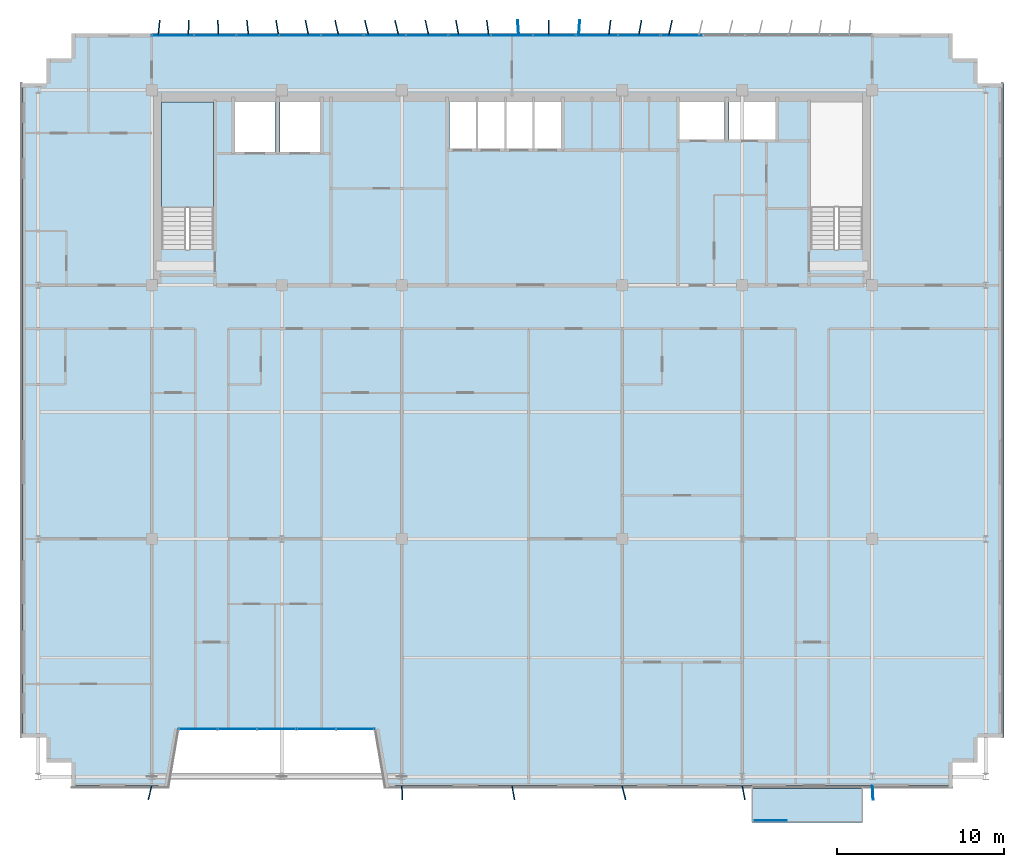
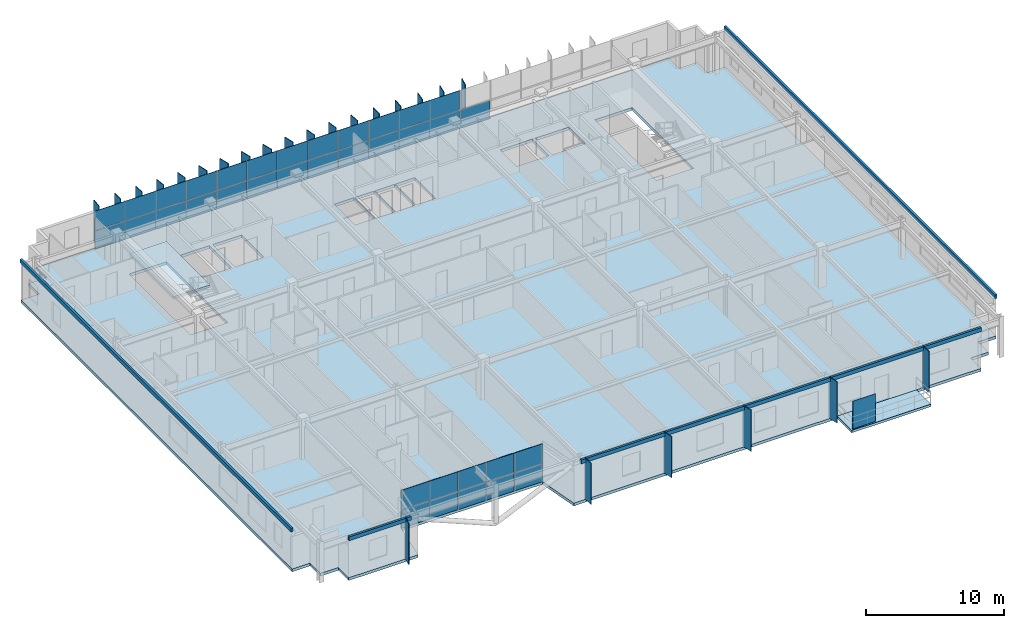
# One storey, part 16 of 24: 64 plates, 3 slabs, 3 elements without a shape of their own.
"""IFC4 building model written with IfcOpenShell, lengths in metres."""

from ifc_helpers import new_model, si_unit, direction, frame, origin, origin_2d, place, context, subcontext, project, spatial, polyline, rectangle, outline, extrude, source, transform, mapped, material, layer, layer_set, type_object, element, aggregate, save


model = new_model("IFC4")

# Units and contexts
model_context = context("Model", 3, precision=1e-05, world=origin(), true_north=direction((0.0, 1.0)))
body_context = subcontext(model_context, "Body", "Model", "MODEL_VIEW")
ifc_project = project(units=[si_unit("LENGTHUNIT", "METRE"), si_unit("AREAUNIT", "SQUARE_METRE"), si_unit("VOLUMEUNIT", "CUBIC_METRE"), si_unit("PLANEANGLEUNIT", "RADIAN"), si_unit("MASSUNIT", "GRAM", prefix="KILO")], contexts=[model_context])

# Site, building, storey
site_placement = place(None, origin())
site = spatial("IfcSite", under=ifc_project, at=site_placement, CompositionType="ELEMENT")
building_placement = place(site_placement, origin())
building = spatial("IfcBuilding", under=site, at=building_placement, Name="Trelvane Seafront Commons", CompositionType="ELEMENT")
storey_placement = place(building_placement, frame((0.0, 0.0, 175.300048828125)))
storey = spatial("IfcBuildingStorey", under=building, at=storey_placement, Name="L46", CompositionType="ELEMENT", Elevation=175.300048828125)

# Slab
ifc_material_1 = material(Name="Concrete C40/50", Category="concrete")
ifc_layer_1 = layer(ifc_material_1, 0.219970703125, Name="ARCH-BALC-220")
ifc_layer_set_1 = layer_set([ifc_layer_1], Name="Concrete C40/50")
slab_type_1 = type_object("IfcSlabType", Name="ARCH-BALC-220", PredefinedType="FLOOR", material=ifc_layer_set_1)
slab_1_placement = place(storey_placement, frame((0.0, 0.0, -0.219970703125)))
element("IfcSlab", 1, at=slab_1_placement, inside=storey, type_object=slab_type_1, Name="L46 Cantilevered Tree Balcony Loggia 2", PredefinedType="FLOOR", context=body_context, shape_type="SweptSolid", body=[
    extrude(outline(polyline([(51.60009765625, 1.199951171875), (58.199951171875, 1.199951171875), (58.199951171875, 3.300048828125), (51.60009765625, 3.300048828125), (51.60009765625, 1.199951171875)])), origin(), (0.0, 0.0, 1.0), 0.219970703125),
])

# Stair, slab
stair_type = type_object("IfcStairType", Name="ARCH-STR-ST-1-R20-180", PredefinedType="HALF_TURN_STAIR", material=ifc_material_1)
stair_placement = place(storey_placement, origin())
stair = element("IfcStair", 2, at=stair_placement, inside=storey, type_object=stair_type, Name="L46 West Protected Firefighting Exit Stair ST-1", PredefinedType="HALF_TURN_STAIR")
ifc_layer_2 = layer(ifc_material_1, 0.199951171875, Name="ARCH-LND-200")
ifc_layer_set_2 = layer_set([ifc_layer_2], Name="Concrete C40/50")
slab_type_2 = type_object("IfcSlabType", Name="ARCH-LND-200", PredefinedType="LANDING", material=ifc_layer_set_2)
slab_2_placement = place(storey_placement, frame((0.0, 0.0, 1.599853515625)))
slab_2 = element("IfcSlab", 3, at=slab_2_placement, type_object=slab_type_2, Name="ST-1 landing 1", PredefinedType="LANDING", context=body_context, shape_type="SweptSolid", body=[
    extrude(outline(polyline([(19.300048828125, 38.070068359375), (19.300048828125, 44.39990234375), (16.199951171875, 44.39990234375), (16.199951171875, 38.070068359375), (19.300048828125, 38.070068359375)])), origin(), (0.0, 0.0, 1.0), 0.2001953125),
])
aggregate(stair, [slab_2])

# Slab
ifc_material_2 = material(Name="Concrete C50/60", Category="concrete")
ifc_layer_3 = layer(ifc_material_2, 0.25, Name="STR-SLB-Z3-250")
ifc_layer_set_3 = layer_set([ifc_layer_3], Name="Concrete C50/60")
slab_type_3 = type_object("IfcSlabType", Name="STR-SLB-Z3-250", PredefinedType="FLOOR", material=ifc_layer_set_3)
slab_3_placement = place(storey_placement, frame((0.0, 0.0, -0.25)))
element("IfcSlab", 4, at=slab_3_placement, inside=storey, type_object=slab_type_3, Name="L46 Structural Floor Slab", PredefinedType="FLOOR", context=body_context, shape_type="SweptSolid", body=[
    extrude(outline(polyline([(10.800048828125, 3.300048828125), (16.60009765625, 3.300048828125), (17.199951171875, 6.800048828125), (29.0, 6.800048828125), (29.60009765625, 3.300048828125), (63.60009765625, 3.300048828125), (63.60009765625, 4.800048828125), (65.10009765625, 4.800048828125), (65.10009765625, 6.300048828125), (66.60009765625, 6.300048828125), (66.60009765625, 45.5), (65.10009765625, 45.5), (65.10009765625, 47.0), (63.60009765625, 47.0), (63.60009765625, 48.5), (10.800048828125, 48.5), (10.800048828125, 47.0), (9.300048828125, 47.0), (9.300048828125, 45.5), (7.800048828125, 45.5), (7.800048828125, 6.300048828125), (9.300048828125, 6.300048828125), (9.300048828125, 4.800048828125), (10.800048828125, 4.800048828125), (10.800048828125, 3.300048828125)]), holes=[polyline([(19.300048828125, 35.550048828125), (16.199951171875, 35.550048828125), (16.199951171875, 44.39990234375), (19.300048828125, 44.39990234375), (19.300048828125, 35.550048828125)]), polyline([(58.199951171875, 35.550048828125), (55.10009765625, 35.550048828125), (55.10009765625, 44.39990234375), (58.199951171875, 44.39990234375), (58.199951171875, 35.550048828125)]), polyline([(23.0, 41.39990234375), (20.60009765625, 41.39990234375), (20.60009765625, 44.60009765625), (23.0, 44.60009765625), (23.0, 41.39990234375)]), polyline([(23.300048828125, 41.39990234375), (23.300048828125, 44.60009765625), (25.699951171875, 44.60009765625), (25.699951171875, 41.39990234375), (23.300048828125, 41.39990234375)]), polyline([(33.449951171875, 41.60009765625), (33.449951171875, 44.60009765625), (35.070068359375, 44.60009765625), (35.070068359375, 41.60009765625), (33.449951171875, 41.60009765625)]), polyline([(36.77001953125, 41.60009765625), (35.14990234375, 41.60009765625), (35.14990234375, 44.60009765625), (36.77001953125, 44.60009765625), (36.77001953125, 41.60009765625)]), polyline([(38.469970703125, 41.60009765625), (36.85009765625, 41.60009765625), (36.85009765625, 44.60009765625), (38.469970703125, 44.60009765625), (38.469970703125, 41.60009765625)]), polyline([(40.169921875, 41.60009765625), (38.550048828125, 41.60009765625), (38.550048828125, 44.60009765625), (40.169921875, 44.60009765625), (40.169921875, 41.60009765625)]), polyline([(47.25, 42.14990234375), (47.25, 44.550048828125), (49.949951171875, 44.550048828125), (49.949951171875, 42.14990234375), (47.25, 42.14990234375)]), polyline([(50.199951171875, 42.14990234375), (50.199951171875, 44.550048828125), (53.0, 44.550048828125), (53.0, 42.14990234375), (50.199951171875, 42.14990234375)])]), origin(), (0.0, 0.0, 1.0), 0.25),
])

# Plates
ifc_material_3 = material(Name="Perforated anodised aluminium screen", Category="aluminium")
ifc_layer_4 = layer(ifc_material_3, 0.01611328125, Name="ARCH-PLATE-SCREEN")
ifc_layer_set_4 = layer_set([ifc_layer_4], Name="Perforated anodised aluminium screen")
plate_type_1 = type_object("IfcPlateType", Name="ARCH-PLATE-SCREEN", PredefinedType="USERDEFINED", material=ifc_layer_set_4)
shared_shape_1 = source(origin(), body_context, "Body", "SweptSolid", [
    extrude(rectangle(XDim=1.9140625, YDim=0.01611328125, at=origin_2d()), origin(), (0.0, 0.0, 1.0), 2.449951171875),
])
plate_1_placement = place(storey_placement, frame((52.70703125, 1.320068359375, 0.0), z_axis=(0.0, 0.0, 1.0), x_axis=(1.0, 0.0, 0.0)))
element("IfcPlate", 5, at=plate_1_placement, inside=storey, type_object=plate_type_1, Name="SCR-L46-00166", ObjectType="SCREEN", PredefinedType="USERDEFINED", context=body_context, shape_type="MappedRepresentation", body=[
    mapped(shared_shape_1, transform((0.0, 0.0, 0.0), x_axis=(1.0, 0.0, 0.0), y_axis=(0.0, 1.0, 0.0), z_axis=(0.0, 0.0, 1.0), scale=1.0)),
])
ifc_material_4 = material(Name="Anodised pale-silver aluminium", Category="aluminium")
ifc_layer_5 = layer(ifc_material_4, 0.06005859375, Name="ARCH-PLATE-FIN900")
ifc_layer_set_5 = layer_set([ifc_layer_5], Name="Anodised pale-silver aluminium")
plate_type_2 = type_object("IfcPlateType", Name="ARCH-PLATE-FIN900", PredefinedType="USERDEFINED", material=ifc_layer_set_5)
shared_shape_2 = source(origin(), body_context, "Body", "SweptSolid", [
    extrude(rectangle(XDim=0.89990234375, YDim=0.06005859375, at=origin_2d()), origin(), (0.0, 0.0, 1.0), 3.639892578125),
])
for number, where, z_axis, x_axis, name in (
    (6, (16.043212890625, 48.847900390625, -0.02001953125), (0.0, 0.0, 1.0), (0.096115029596, 0.995370233172, 0.0), "FIN-L46-01277"),
    (7, (17.814453125, 48.849853515625, -0.02001953125), (0.0, 0.0, 1.0), (0.03211202744, 0.999484275861, 0.0), "FIN-L46-01278"),
    (8, (19.58447265625, 48.849853515625, -0.02001953125), (0.0, 0.0, 1.0), (-0.034442495366, 0.999406681243, 0.0), "FIN-L46-01279"),
    (9, (21.355712890625, 48.847900390625, -0.02001953125), (0.0, 0.0, 1.0), (-0.098336729472, 0.995153198074, 0.0), "FIN-L46-01280"),
    (10, (23.13037109375, 48.844482421875, -0.02001953125), (0.0, 0.0, 1.0), (-0.154553471661, 0.98798442518, 0.0), "FIN-L46-01281"),
    (11, (24.910400390625, 48.841064453125, -0.02001953125), (0.0, 0.0, 1.0), (-0.19900020777, 0.979999447606, 0.0), "FIN-L46-01282"),
    (12, (26.697265625, 48.838134765625, -0.02001953125), (0.0, 0.0, 1.0), (-0.22854967359, 0.973532252523, 0.0), "FIN-L46-01283"),
    (13, (28.491455078125, 48.836669921875, -0.02001953125), (0.0, 0.0, 1.0), (-0.241437528624, 0.97041636413, 0.0), "FIN-L46-01284"),
    (14, (30.29345703125, 48.837158203125, -0.02001953125), (0.0, 0.0, 1.0), (-0.236675358124, 0.971588788972, 0.0), "FIN-L46-01285"),
    (15, (32.103515625, 48.839599609375, -0.02001953125), (0.0, 0.0, 1.0), (-0.214670551336, 0.976686517972, 0.0), "FIN-L46-01286"),
    (16, (33.92041015625, 48.843017578125, -0.02001953125), (0.0, 0.0, 1.0), (-0.176782408782, 0.984249958062, 0.0), "FIN-L46-01287"),
    (17, (35.743408203125, 48.846435546875, -0.02001953125), (0.0, 0.0, 1.0), (-0.125553139468, 0.992086895977, 0.0), "FIN-L46-01288"),
    (18, (37.57080078125, 48.84912109375, -0.02001953125), (0.0, 0.0, 1.0), (-0.064668159577, 0.997906823875, 0.0), "FIN-L46-01289"),
    (19, (39.400390625, 48.85009765625, -0.02001953125), (0.0, 0.0, 1.0), (0.001221730172, 0.999999253687, 0.0), "FIN-L46-01290"),
    (20, (41.230224609375, 48.84912109375, -0.02001953125), (0.0, 0.0, 1.0), (0.066998343577, 0.997753086669, 0.0), "FIN-L46-01291"),
    (21, (43.0576171875, 48.84619140625, -0.02001953125), (0.0, 0.0, 1.0), (0.127672229738, 0.991816415348, 0.0), "FIN-L46-01292"),
    (22, (44.88037109375, 48.8427734375, -0.02001953125), (0.0, 0.0, 1.0), (0.178436438459, 0.983951440585, 0.0), "FIN-L46-01293"),
    (23, (46.697021484375, 48.83935546875, -0.02001953125), (0.0, 0.0, 1.0), (0.215776724451, 0.97644273011, 0.0), "FIN-L46-01294"),
):
    element("IfcPlate", number, at=place(storey_placement, frame(where, z_axis=z_axis, x_axis=x_axis)), inside=storey, type_object=plate_type_2, Name=name, ObjectType="FIN", PredefinedType="USERDEFINED", context=body_context, shape_type="MappedRepresentation", body=[
        mapped(shared_shape_2, transform((0.0, 0.0, 0.0), x_axis=(1.0, 0.0, 0.0), y_axis=(0.0, 1.0, 0.0), z_axis=(0.0, 0.0, 1.0), scale=1.0)),
    ])
shared_shape_3 = source(origin(), body_context, "Body", "SweptSolid", [
    extrude(rectangle(XDim=0.85009765625, YDim=0.06005859375, at=origin_2d()), origin(), (0.0, 0.0, 1.0), 3.639892578125),
])
for number, where, z_axis, x_axis, name in (
    (24, (15.50146484375, 2.986572265625, -0.02001953125), (0.0, 0.0, 1.0), (-0.231640939799, -0.972801354342, 0.0), "FIN-S-L46-01301"),
    (25, (30.61279296875, 2.97509765625, -0.02001953125), (0.0, 0.0, 1.0), (0.030353594076, -0.999539223506, 0.0), "FIN-S-L46-01302"),
    (26, (37.27587890625, 2.981689453125, -0.02001953125), (0.0, 0.0, 1.0), (0.178460480875, -0.983947080267, 0.0), "FIN-S-L46-01303"),
    (27, (43.902587890625, 2.987548828125, -0.02001953125), (0.0, 0.0, 1.0), (0.241649234884, -0.970363667539, 0.0), "FIN-S-L46-01304"),
    (28, (51.081787109375, 2.98291015625, -0.02001953125), (0.0, 0.0, 1.0), (0.192811400863, -0.981235834903, 0.0), "FIN-S-L46-01305"),
    (29, (58.822509765625, 2.9755859375, -0.02001953125), (0.0, 0.0, 1.0), (0.052590423393, -0.998616166186, 0.0), "FIN-S-L46-01306"),
):
    element("IfcPlate", number, at=place(storey_placement, frame(where, z_axis=z_axis, x_axis=x_axis)), inside=storey, type_object=plate_type_2, Name=name, ObjectType="FIN", PredefinedType="USERDEFINED", context=body_context, shape_type="MappedRepresentation", body=[
        mapped(shared_shape_3, transform((0.0, 0.0, 0.0), x_axis=(1.0, 0.0, 0.0), y_axis=(0.0, 1.0, 0.0), z_axis=(0.0, 0.0, 1.0), scale=1.0)),
    ])

# Curtain wall, plates
curtain_wall_type_1 = type_object("IfcCurtainWallType", Name="ARCH-CW5-UPTOWER", PredefinedType="NOTDEFINED", material=ifc_material_4)
curtain_wall_1_placement = place(storey_placement, origin())
curtain_wall_1 = element("IfcCurtainWall", 30, at=curtain_wall_1_placement, inside=storey, type_object=curtain_wall_type_1, Name="CW-L46-0073", PredefinedType="NOTDEFINED")
ifc_material_5 = material(Name="Low-E coastal double glazing", Category="glass")
ifc_layer_6 = layer(ifc_material_5, 0.033935546875, Name="ARCH-CW-GLAZ-34")
ifc_layer_set_6 = layer_set([ifc_layer_6], Name="Low-E coastal double glazing")
plate_type_3 = type_object("IfcPlateType", Name="ARCH-CW-GLAZ-34", PredefinedType="CURTAIN_PANEL", material=ifc_layer_set_6)
shared_shape_4 = source(origin(), body_context, "Body", "SweptSolid", [
    extrude(rectangle(XDim=2.51708984375, YDim=0.033935546875, at=origin_2d()), origin(), (0.0, 0.0, 1.0), 1.590087890625),
])
plate_2_placement = place(storey_placement, frame((16.87060546875, 48.3701171875, 0.0), z_axis=(0.0, 0.0, 1.0), x_axis=(1.0, 0.0, 0.0)))
plate_2 = element("IfcPlate", 31, at=plate_2_placement, type_object=plate_type_3, Name="CW-L46-0073-P00-1", PredefinedType="CURTAIN_PANEL", context=body_context, shape_type="MappedRepresentation", body=[
    mapped(shared_shape_4, transform((0.0, 0.0, 0.0), x_axis=(1.0, 0.0, 0.0), y_axis=(0.0, 1.0, 0.0), z_axis=(0.0, 0.0, 1.0), scale=1.0)),
])
plate_3_placement = place(storey_placement, frame((19.411865234375, 48.3701171875, 0.0), z_axis=(0.0, 0.0, 1.0), x_axis=(1.0, 0.0, 0.0)))
plate_3 = element("IfcPlate", 32, at=plate_3_placement, type_object=plate_type_3, Name="CW-L46-0073-P01-1", PredefinedType="CURTAIN_PANEL", context=body_context, shape_type="MappedRepresentation", body=[
    mapped(shared_shape_4, transform((0.0, 0.0, 0.0), x_axis=(1.0, 0.0, 0.0), y_axis=(0.0, 1.0, 0.0), z_axis=(0.0, 0.0, 1.0), scale=1.0)),
])
plate_4_placement = place(storey_placement, frame((21.952880859375, 48.3701171875, 0.0), z_axis=(0.0, 0.0, 1.0), x_axis=(1.0, 0.0, 0.0)))
plate_4 = element("IfcPlate", 33, at=plate_4_placement, type_object=plate_type_3, Name="CW-L46-0073-P02-1", PredefinedType="CURTAIN_PANEL", context=body_context, shape_type="MappedRepresentation", body=[
    mapped(shared_shape_4, transform((0.0, 0.0, 0.0), x_axis=(1.0, 0.0, 0.0), y_axis=(0.0, 1.0, 0.0), z_axis=(0.0, 0.0, 1.0), scale=1.0)),
])
plate_5_placement = place(storey_placement, frame((24.494140625, 48.3701171875, 0.0), z_axis=(0.0, 0.0, 1.0), x_axis=(1.0, 0.0, 0.0)))
plate_5 = element("IfcPlate", 34, at=plate_5_placement, type_object=plate_type_3, Name="CW-L46-0073-P03-1", PredefinedType="CURTAIN_PANEL", context=body_context, shape_type="MappedRepresentation", body=[
    mapped(shared_shape_4, transform((0.0, 0.0, 0.0), x_axis=(1.0, 0.0, 0.0), y_axis=(0.0, 1.0, 0.0), z_axis=(0.0, 0.0, 1.0), scale=1.0)),
])
plate_6_placement = place(storey_placement, frame((27.035400390625, 48.3701171875, 0.0), z_axis=(0.0, 0.0, 1.0), x_axis=(1.0, 0.0, 0.0)))
plate_6 = element("IfcPlate", 35, at=plate_6_placement, type_object=plate_type_3, Name="CW-L46-0073-P04-1", PredefinedType="CURTAIN_PANEL", context=body_context, shape_type="MappedRepresentation", body=[
    mapped(shared_shape_4, transform((0.0, 0.0, 0.0), x_axis=(1.0, 0.0, 0.0), y_axis=(0.0, 1.0, 0.0), z_axis=(0.0, 0.0, 1.0), scale=1.0)),
])
plate_7_placement = place(storey_placement, frame((29.576416015625, 48.3701171875, 0.0), z_axis=(0.0, 0.0, 1.0), x_axis=(1.0, 0.0, 0.0)))
plate_7 = element("IfcPlate", 36, at=plate_7_placement, type_object=plate_type_3, Name="CW-L46-0073-P05-1", PredefinedType="CURTAIN_PANEL", context=body_context, shape_type="MappedRepresentation", body=[
    mapped(shared_shape_4, transform((0.0, 0.0, 0.0), x_axis=(1.0, 0.0, 0.0), y_axis=(0.0, 1.0, 0.0), z_axis=(0.0, 0.0, 1.0), scale=1.0)),
])
plate_8_placement = place(storey_placement, frame((32.11767578125, 48.3701171875, 0.0), z_axis=(0.0, 0.0, 1.0), x_axis=(1.0, 0.0, 0.0)))
plate_8 = element("IfcPlate", 37, at=plate_8_placement, type_object=plate_type_3, Name="CW-L46-0073-P06-1", PredefinedType="CURTAIN_PANEL", context=body_context, shape_type="MappedRepresentation", body=[
    mapped(shared_shape_4, transform((0.0, 0.0, 0.0), x_axis=(1.0, 0.0, 0.0), y_axis=(0.0, 1.0, 0.0), z_axis=(0.0, 0.0, 1.0), scale=1.0)),
])
plate_9_placement = place(storey_placement, frame((34.65869140625, 48.3701171875, 0.0), z_axis=(0.0, 0.0, 1.0), x_axis=(1.0, 0.0, 0.0)))
plate_9 = element("IfcPlate", 38, at=plate_9_placement, type_object=plate_type_3, Name="CW-L46-0073-P07-1", PredefinedType="CURTAIN_PANEL", context=body_context, shape_type="MappedRepresentation", body=[
    mapped(shared_shape_4, transform((0.0, 0.0, 0.0), x_axis=(1.0, 0.0, 0.0), y_axis=(0.0, 1.0, 0.0), z_axis=(0.0, 0.0, 1.0), scale=1.0)),
])
plate_10_placement = place(storey_placement, frame((37.199951171875, 48.3701171875, 0.0), z_axis=(0.0, 0.0, 1.0), x_axis=(1.0, 0.0, 0.0)))
plate_10 = element("IfcPlate", 39, at=plate_10_placement, type_object=plate_type_3, Name="CW-L46-0073-P08-1", PredefinedType="CURTAIN_PANEL", context=body_context, shape_type="MappedRepresentation", body=[
    mapped(shared_shape_4, transform((0.0, 0.0, 0.0), x_axis=(1.0, 0.0, 0.0), y_axis=(0.0, 1.0, 0.0), z_axis=(0.0, 0.0, 1.0), scale=1.0)),
])
plate_11_placement = place(storey_placement, frame((39.7412109375, 48.3701171875, 0.0), z_axis=(0.0, 0.0, 1.0), x_axis=(1.0, 0.0, 0.0)))
plate_11 = element("IfcPlate", 40, at=plate_11_placement, type_object=plate_type_3, Name="CW-L46-0073-P09-1", PredefinedType="CURTAIN_PANEL", context=body_context, shape_type="MappedRepresentation", body=[
    mapped(shared_shape_4, transform((0.0, 0.0, 0.0), x_axis=(1.0, 0.0, 0.0), y_axis=(0.0, 1.0, 0.0), z_axis=(0.0, 0.0, 1.0), scale=1.0)),
])
plate_12_placement = place(storey_placement, frame((42.282470703125, 48.3701171875, 0.0), z_axis=(0.0, 0.0, 1.0), x_axis=(1.0, 0.0, 0.0)))
plate_12 = element("IfcPlate", 41, at=plate_12_placement, type_object=plate_type_3, Name="CW-L46-0073-P10-1", PredefinedType="CURTAIN_PANEL", context=body_context, shape_type="MappedRepresentation", body=[
    mapped(shared_shape_4, transform((0.0, 0.0, 0.0), x_axis=(1.0, 0.0, 0.0), y_axis=(0.0, 1.0, 0.0), z_axis=(0.0, 0.0, 1.0), scale=1.0)),
])
plate_13_placement = place(storey_placement, frame((44.823486328125, 48.3701171875, 0.0), z_axis=(0.0, 0.0, 1.0), x_axis=(1.0, 0.0, 0.0)))
plate_13 = element("IfcPlate", 42, at=plate_13_placement, type_object=plate_type_3, Name="CW-L46-0073-P11-1", PredefinedType="CURTAIN_PANEL", context=body_context, shape_type="MappedRepresentation", body=[
    mapped(shared_shape_4, transform((0.0, 0.0, 0.0), x_axis=(1.0, 0.0, 0.0), y_axis=(0.0, 1.0, 0.0), z_axis=(0.0, 0.0, 1.0), scale=1.0)),
])
plate_14_placement = place(storey_placement, frame((47.36474609375, 48.3701171875, 0.0), z_axis=(0.0, 0.0, 1.0), x_axis=(1.0, 0.0, 0.0)))
plate_14 = element("IfcPlate", 43, at=plate_14_placement, type_object=plate_type_3, Name="CW-L46-0073-P12-1", PredefinedType="CURTAIN_PANEL", context=body_context, shape_type="MappedRepresentation", body=[
    mapped(shared_shape_4, transform((0.0, 0.0, 0.0), x_axis=(1.0, 0.0, 0.0), y_axis=(0.0, 1.0, 0.0), z_axis=(0.0, 0.0, 1.0), scale=1.0)),
])
shared_shape_5 = source(origin(), body_context, "Body", "SweptSolid", [
    extrude(rectangle(XDim=2.51708984375, YDim=0.033935546875, at=origin_2d()), origin(), (0.0, 0.0, 1.0), 1.72412109375),
])
plate_15_placement = place(storey_placement, frame((16.87060546875, 48.3701171875, 1.6259765625), z_axis=(0.0, 0.0, 1.0), x_axis=(1.0, 0.0, 0.0)))
plate_15 = element("IfcPlate", 44, at=plate_15_placement, type_object=plate_type_3, Name="CW-L46-0073-P00-2", PredefinedType="CURTAIN_PANEL", context=body_context, shape_type="MappedRepresentation", body=[
    mapped(shared_shape_5, transform((0.0, 0.0, 0.0), x_axis=(1.0, 0.0, 0.0), y_axis=(0.0, 1.0, 0.0), z_axis=(0.0, 0.0, 1.0), scale=1.0)),
])
plate_16_placement = place(storey_placement, frame((19.411865234375, 48.3701171875, 1.6259765625), z_axis=(0.0, 0.0, 1.0), x_axis=(1.0, 0.0, 0.0)))
plate_16 = element("IfcPlate", 45, at=plate_16_placement, type_object=plate_type_3, Name="CW-L46-0073-P01-2", PredefinedType="CURTAIN_PANEL", context=body_context, shape_type="MappedRepresentation", body=[
    mapped(shared_shape_5, transform((0.0, 0.0, 0.0), x_axis=(1.0, 0.0, 0.0), y_axis=(0.0, 1.0, 0.0), z_axis=(0.0, 0.0, 1.0), scale=1.0)),
])
plate_17_placement = place(storey_placement, frame((21.952880859375, 48.3701171875, 1.6259765625), z_axis=(0.0, 0.0, 1.0), x_axis=(1.0, 0.0, 0.0)))
plate_17 = element("IfcPlate", 46, at=plate_17_placement, type_object=plate_type_3, Name="CW-L46-0073-P02-2", PredefinedType="CURTAIN_PANEL", context=body_context, shape_type="MappedRepresentation", body=[
    mapped(shared_shape_5, transform((0.0, 0.0, 0.0), x_axis=(1.0, 0.0, 0.0), y_axis=(0.0, 1.0, 0.0), z_axis=(0.0, 0.0, 1.0), scale=1.0)),
])
plate_18_placement = place(storey_placement, frame((24.494140625, 48.3701171875, 1.6259765625), z_axis=(0.0, 0.0, 1.0), x_axis=(1.0, 0.0, 0.0)))
plate_18 = element("IfcPlate", 47, at=plate_18_placement, type_object=plate_type_3, Name="CW-L46-0073-P03-2", PredefinedType="CURTAIN_PANEL", context=body_context, shape_type="MappedRepresentation", body=[
    mapped(shared_shape_5, transform((0.0, 0.0, 0.0), x_axis=(1.0, 0.0, 0.0), y_axis=(0.0, 1.0, 0.0), z_axis=(0.0, 0.0, 1.0), scale=1.0)),
])
plate_19_placement = place(storey_placement, frame((27.035400390625, 48.3701171875, 1.6259765625), z_axis=(0.0, 0.0, 1.0), x_axis=(1.0, 0.0, 0.0)))
plate_19 = element("IfcPlate", 48, at=plate_19_placement, type_object=plate_type_3, Name="CW-L46-0073-P04-2", PredefinedType="CURTAIN_PANEL", context=body_context, shape_type="MappedRepresentation", body=[
    mapped(shared_shape_5, transform((0.0, 0.0, 0.0), x_axis=(1.0, 0.0, 0.0), y_axis=(0.0, 1.0, 0.0), z_axis=(0.0, 0.0, 1.0), scale=1.0)),
])
plate_20_placement = place(storey_placement, frame((29.576416015625, 48.3701171875, 1.6259765625), z_axis=(0.0, 0.0, 1.0), x_axis=(1.0, 0.0, 0.0)))
plate_20 = element("IfcPlate", 49, at=plate_20_placement, type_object=plate_type_3, Name="CW-L46-0073-P05-2", PredefinedType="CURTAIN_PANEL", context=body_context, shape_type="MappedRepresentation", body=[
    mapped(shared_shape_5, transform((0.0, 0.0, 0.0), x_axis=(1.0, 0.0, 0.0), y_axis=(0.0, 1.0, 0.0), z_axis=(0.0, 0.0, 1.0), scale=1.0)),
])
plate_21_placement = place(storey_placement, frame((32.11767578125, 48.3701171875, 1.6259765625), z_axis=(0.0, 0.0, 1.0), x_axis=(1.0, 0.0, 0.0)))
plate_21 = element("IfcPlate", 50, at=plate_21_placement, type_object=plate_type_3, Name="CW-L46-0073-P06-2", PredefinedType="CURTAIN_PANEL", context=body_context, shape_type="MappedRepresentation", body=[
    mapped(shared_shape_5, transform((0.0, 0.0, 0.0), x_axis=(1.0, 0.0, 0.0), y_axis=(0.0, 1.0, 0.0), z_axis=(0.0, 0.0, 1.0), scale=1.0)),
])
plate_22_placement = place(storey_placement, frame((34.65869140625, 48.3701171875, 1.6259765625), z_axis=(0.0, 0.0, 1.0), x_axis=(1.0, 0.0, 0.0)))
plate_22 = element("IfcPlate", 51, at=plate_22_placement, type_object=plate_type_3, Name="CW-L46-0073-P07-2", PredefinedType="CURTAIN_PANEL", context=body_context, shape_type="MappedRepresentation", body=[
    mapped(shared_shape_5, transform((0.0, 0.0, 0.0), x_axis=(1.0, 0.0, 0.0), y_axis=(0.0, 1.0, 0.0), z_axis=(0.0, 0.0, 1.0), scale=1.0)),
])
plate_23_placement = place(storey_placement, frame((37.199951171875, 48.3701171875, 1.6259765625), z_axis=(0.0, 0.0, 1.0), x_axis=(1.0, 0.0, 0.0)))
plate_23 = element("IfcPlate", 52, at=plate_23_placement, type_object=plate_type_3, Name="CW-L46-0073-P08-2", PredefinedType="CURTAIN_PANEL", context=body_context, shape_type="MappedRepresentation", body=[
    mapped(shared_shape_5, transform((0.0, 0.0, 0.0), x_axis=(1.0, 0.0, 0.0), y_axis=(0.0, 1.0, 0.0), z_axis=(0.0, 0.0, 1.0), scale=1.0)),
])
plate_24_placement = place(storey_placement, frame((39.7412109375, 48.3701171875, 1.6259765625), z_axis=(0.0, 0.0, 1.0), x_axis=(1.0, 0.0, 0.0)))
plate_24 = element("IfcPlate", 53, at=plate_24_placement, type_object=plate_type_3, Name="CW-L46-0073-P09-2", PredefinedType="CURTAIN_PANEL", context=body_context, shape_type="MappedRepresentation", body=[
    mapped(shared_shape_5, transform((0.0, 0.0, 0.0), x_axis=(1.0, 0.0, 0.0), y_axis=(0.0, 1.0, 0.0), z_axis=(0.0, 0.0, 1.0), scale=1.0)),
])
plate_25_placement = place(storey_placement, frame((42.282470703125, 48.3701171875, 1.6259765625), z_axis=(0.0, 0.0, 1.0), x_axis=(1.0, 0.0, 0.0)))
plate_25 = element("IfcPlate", 54, at=plate_25_placement, type_object=plate_type_3, Name="CW-L46-0073-P10-2", PredefinedType="CURTAIN_PANEL", context=body_context, shape_type="MappedRepresentation", body=[
    mapped(shared_shape_5, transform((0.0, 0.0, 0.0), x_axis=(1.0, 0.0, 0.0), y_axis=(0.0, 1.0, 0.0), z_axis=(0.0, 0.0, 1.0), scale=1.0)),
])
plate_26_placement = place(storey_placement, frame((44.823486328125, 48.3701171875, 1.6259765625), z_axis=(0.0, 0.0, 1.0), x_axis=(1.0, 0.0, 0.0)))
plate_26 = element("IfcPlate", 55, at=plate_26_placement, type_object=plate_type_3, Name="CW-L46-0073-P11-2", PredefinedType="CURTAIN_PANEL", context=body_context, shape_type="MappedRepresentation", body=[
    mapped(shared_shape_5, transform((0.0, 0.0, 0.0), x_axis=(1.0, 0.0, 0.0), y_axis=(0.0, 1.0, 0.0), z_axis=(0.0, 0.0, 1.0), scale=1.0)),
])
aggregate(curtain_wall_1, [plate_2, plate_15, plate_3, plate_16, plate_4, plate_17, plate_5, plate_18, plate_6, plate_19, plate_7, plate_20, plate_8, plate_21, plate_9, plate_22, plate_10, plate_23, plate_11, plate_24, plate_12, plate_25, plate_13, plate_26, plate_14])

# Plates
ifc_layer_7 = layer(ifc_material_4, 0.179931640625, Name="ARCH-PLATE-AERO")
ifc_layer_set_7 = layer_set([ifc_layer_7], Name="Anodised pale-silver aluminium")
plate_type_4 = type_object("IfcPlateType", Name="ARCH-PLATE-AERO", PredefinedType="SHEET", material=ifc_layer_set_7)
shared_shape_6 = source(origin(), body_context, "Body", "SweptSolid", [
    extrude(rectangle(XDim=39.199951171875, YDim=0.179931640625, at=origin_2d()), origin(), (0.0, 0.0, 1.0), 0.330078125),
])
for number, where, z_axis, x_axis, name in (
    (56, (7.800048828125, 25.89990234375, 3.289794921875), (0.0, 0.0, 1.0), (0.0, 1.0, 0.0), "AER-L46-00164"),
    (57, (66.60009765625, 25.89990234375, 3.289794921875), (0.0, 0.0, 1.0), (0.0, -1.0, 0.0), "AER-L46-00165"),
):
    element("IfcPlate", number, at=place(storey_placement, frame(where, z_axis=z_axis, x_axis=x_axis)), inside=storey, type_object=plate_type_4, Name=name, PredefinedType="SHEET", context=body_context, shape_type="MappedRepresentation", body=[
        mapped(shared_shape_6, transform((0.0, 0.0, 0.0), x_axis=(1.0, 0.0, 0.0), y_axis=(0.0, 1.0, 0.0), z_axis=(0.0, 0.0, 1.0), scale=1.0)),
    ])

# Curtain wall, plates
curtain_wall_type_2 = type_object("IfcCurtainWallType", Name="ARCH-CW3-PORTAL", PredefinedType="NOTDEFINED", material=ifc_material_4)
curtain_wall_2_placement = place(storey_placement, origin())
curtain_wall_2 = element("IfcCurtainWall", 58, at=curtain_wall_2_placement, inside=storey, type_object=curtain_wall_type_2, Name="CW-L46-VN-0074", PredefinedType="NOTDEFINED")
shared_shape_7 = source(origin(), body_context, "Body", "SweptSolid", [
    extrude(rectangle(XDim=2.3359375, YDim=0.0380859375, at=origin_2d()), origin(), (0.0, 0.0, 1.0), 1.590087890625),
])
plate_27_placement = place(storey_placement, frame((27.820068359375, 6.800048828125, 0.0), z_axis=(0.0, 0.0, 1.0), x_axis=(-1.0, 0.0, 0.0)))
plate_27 = element("IfcPlate", 59, at=plate_27_placement, type_object=plate_type_3, Name="CW-L46-VN-0074-P00-1", PredefinedType="CURTAIN_PANEL", context=body_context, shape_type="MappedRepresentation", body=[
    mapped(shared_shape_7, transform((0.0, 0.0, 0.0), x_axis=(1.0, 0.0, 0.0), y_axis=(0.0, 1.0, 0.0), z_axis=(0.0, 0.0, 1.0), scale=1.0)),
])
plate_28_placement = place(storey_placement, frame((25.4599609375, 6.800048828125, 0.0), z_axis=(0.0, 0.0, 1.0), x_axis=(-1.0, 0.0, 0.0)))
plate_28 = element("IfcPlate", 60, at=plate_28_placement, type_object=plate_type_3, Name="CW-L46-VN-0074-P01-1", PredefinedType="CURTAIN_PANEL", context=body_context, shape_type="MappedRepresentation", body=[
    mapped(shared_shape_7, transform((0.0, 0.0, 0.0), x_axis=(1.0, 0.0, 0.0), y_axis=(0.0, 1.0, 0.0), z_axis=(0.0, 0.0, 1.0), scale=1.0)),
])
plate_29_placement = place(storey_placement, frame((23.10009765625, 6.800048828125, 0.0), z_axis=(0.0, 0.0, 1.0), x_axis=(-1.0, 0.0, 0.0)))
plate_29 = element("IfcPlate", 61, at=plate_29_placement, type_object=plate_type_3, Name="CW-L46-VN-0074-P02-1", PredefinedType="CURTAIN_PANEL", context=body_context, shape_type="MappedRepresentation", body=[
    mapped(shared_shape_7, transform((0.0, 0.0, 0.0), x_axis=(1.0, 0.0, 0.0), y_axis=(0.0, 1.0, 0.0), z_axis=(0.0, 0.0, 1.0), scale=1.0)),
])
plate_30_placement = place(storey_placement, frame((20.739990234375, 6.800048828125, 0.0), z_axis=(0.0, 0.0, 1.0), x_axis=(-1.0, 0.0, 0.0)))
plate_30 = element("IfcPlate", 62, at=plate_30_placement, type_object=plate_type_3, Name="CW-L46-VN-0074-P03-1", PredefinedType="CURTAIN_PANEL", context=body_context, shape_type="MappedRepresentation", body=[
    mapped(shared_shape_7, transform((0.0, 0.0, 0.0), x_axis=(1.0, 0.0, 0.0), y_axis=(0.0, 1.0, 0.0), z_axis=(0.0, 0.0, 1.0), scale=1.0)),
])
plate_31_placement = place(storey_placement, frame((18.3798828125, 6.800048828125, 0.0), z_axis=(0.0, 0.0, 1.0), x_axis=(-1.0, 0.0, 0.0)))
plate_31 = element("IfcPlate", 63, at=plate_31_placement, type_object=plate_type_3, Name="CW-L46-VN-0074-P04-1", PredefinedType="CURTAIN_PANEL", context=body_context, shape_type="MappedRepresentation", body=[
    mapped(shared_shape_7, transform((0.0, 0.0, 0.0), x_axis=(1.0, 0.0, 0.0), y_axis=(0.0, 1.0, 0.0), z_axis=(0.0, 0.0, 1.0), scale=1.0)),
])
shared_shape_8 = source(origin(), body_context, "Body", "SweptSolid", [
    extrude(rectangle(XDim=2.3359375, YDim=0.0380859375, at=origin_2d()), origin(), (0.0, 0.0, 1.0), 1.72412109375),
])
plate_32_placement = place(storey_placement, frame((27.820068359375, 6.800048828125, 1.6259765625), z_axis=(0.0, 0.0, 1.0), x_axis=(-1.0, 0.0, 0.0)))
plate_32 = element("IfcPlate", 64, at=plate_32_placement, type_object=plate_type_3, Name="CW-L46-VN-0074-P00-2", PredefinedType="CURTAIN_PANEL", context=body_context, shape_type="MappedRepresentation", body=[
    mapped(shared_shape_8, transform((0.0, 0.0, 0.0), x_axis=(1.0, 0.0, 0.0), y_axis=(0.0, 1.0, 0.0), z_axis=(0.0, 0.0, 1.0), scale=1.0)),
])
plate_33_placement = place(storey_placement, frame((25.4599609375, 6.800048828125, 1.6259765625), z_axis=(0.0, 0.0, 1.0), x_axis=(-1.0, 0.0, 0.0)))
plate_33 = element("IfcPlate", 65, at=plate_33_placement, type_object=plate_type_3, Name="CW-L46-VN-0074-P01-2", PredefinedType="CURTAIN_PANEL", context=body_context, shape_type="MappedRepresentation", body=[
    mapped(shared_shape_8, transform((0.0, 0.0, 0.0), x_axis=(1.0, 0.0, 0.0), y_axis=(0.0, 1.0, 0.0), z_axis=(0.0, 0.0, 1.0), scale=1.0)),
])
plate_34_placement = place(storey_placement, frame((23.10009765625, 6.800048828125, 1.6259765625), z_axis=(0.0, 0.0, 1.0), x_axis=(-1.0, 0.0, 0.0)))
plate_34 = element("IfcPlate", 66, at=plate_34_placement, type_object=plate_type_3, Name="CW-L46-VN-0074-P02-2", PredefinedType="CURTAIN_PANEL", context=body_context, shape_type="MappedRepresentation", body=[
    mapped(shared_shape_8, transform((0.0, 0.0, 0.0), x_axis=(1.0, 0.0, 0.0), y_axis=(0.0, 1.0, 0.0), z_axis=(0.0, 0.0, 1.0), scale=1.0)),
])
plate_35_placement = place(storey_placement, frame((20.739990234375, 6.800048828125, 1.6259765625), z_axis=(0.0, 0.0, 1.0), x_axis=(-1.0, 0.0, 0.0)))
plate_35 = element("IfcPlate", 67, at=plate_35_placement, type_object=plate_type_3, Name="CW-L46-VN-0074-P03-2", PredefinedType="CURTAIN_PANEL", context=body_context, shape_type="MappedRepresentation", body=[
    mapped(shared_shape_8, transform((0.0, 0.0, 0.0), x_axis=(1.0, 0.0, 0.0), y_axis=(0.0, 1.0, 0.0), z_axis=(0.0, 0.0, 1.0), scale=1.0)),
])
plate_36_placement = place(storey_placement, frame((18.3798828125, 6.800048828125, 1.6259765625), z_axis=(0.0, 0.0, 1.0), x_axis=(-1.0, 0.0, 0.0)))
plate_36 = element("IfcPlate", 68, at=plate_36_placement, type_object=plate_type_3, Name="CW-L46-VN-0074-P04-2", PredefinedType="CURTAIN_PANEL", context=body_context, shape_type="MappedRepresentation", body=[
    mapped(shared_shape_8, transform((0.0, 0.0, 0.0), x_axis=(1.0, 0.0, 0.0), y_axis=(0.0, 1.0, 0.0), z_axis=(0.0, 0.0, 1.0), scale=1.0)),
])
aggregate(curtain_wall_2, [plate_27, plate_32, plate_28, plate_33, plate_29, plate_34, plate_30, plate_35, plate_31, plate_36])

# Plates
shared_shape_9 = source(origin(), body_context, "Body", "SweptSolid", [
    extrude(rectangle(XDim=5.199951171875, YDim=0.179931640625, at=origin_2d()), origin(), (0.0, 0.0, 1.0), 0.330078125),
])
plate_37_placement = place(storey_placement, frame((13.39990234375, 3.340087890625, 3.289794921875), z_axis=(0.0, 0.0, 1.0), x_axis=(-1.0, 0.0, 0.0)))
element("IfcPlate", 69, at=plate_37_placement, inside=storey, type_object=plate_type_4, Name="AER-S-L46-00167", PredefinedType="SHEET", context=body_context, shape_type="MappedRepresentation", body=[
    mapped(shared_shape_9, transform((0.0, 0.0, 0.0), x_axis=(1.0, 0.0, 0.0), y_axis=(0.0, 1.0, 0.0), z_axis=(0.0, 0.0, 1.0), scale=1.0)),
])
shared_shape_10 = source(origin(), body_context, "Body", "SweptSolid", [
    extrude(rectangle(XDim=33.39990234375, YDim=0.179931640625, at=origin_2d()), origin(), (0.0, 0.0, 1.0), 0.330078125),
])
plate_38_placement = place(storey_placement, frame((46.89990234375, 3.340087890625, 3.289794921875), z_axis=(0.0, 0.0, 1.0), x_axis=(-1.0, 0.0, 0.0)))
element("IfcPlate", 70, at=plate_38_placement, inside=storey, type_object=plate_type_4, Name="AER-S-L46-00168", PredefinedType="SHEET", context=body_context, shape_type="MappedRepresentation", body=[
    mapped(shared_shape_10, transform((0.0, 0.0, 0.0), x_axis=(1.0, 0.0, 0.0), y_axis=(0.0, 1.0, 0.0), z_axis=(0.0, 0.0, 1.0), scale=1.0)),
])

save(model, "model.ifc")
